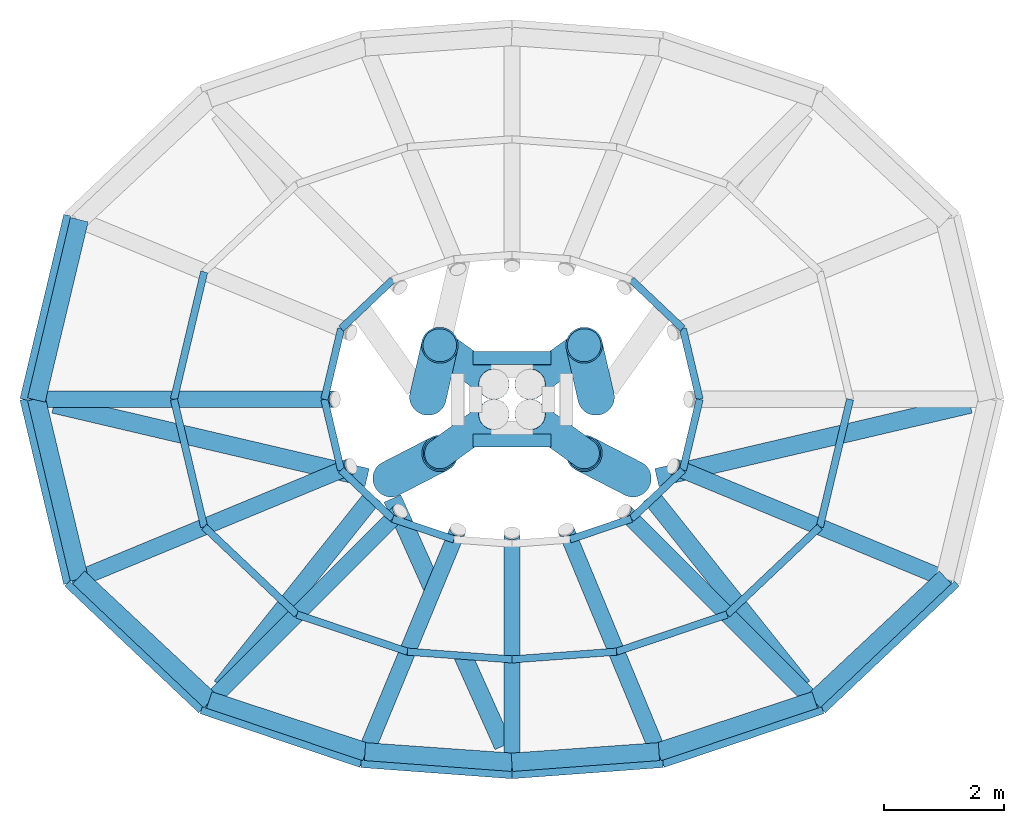
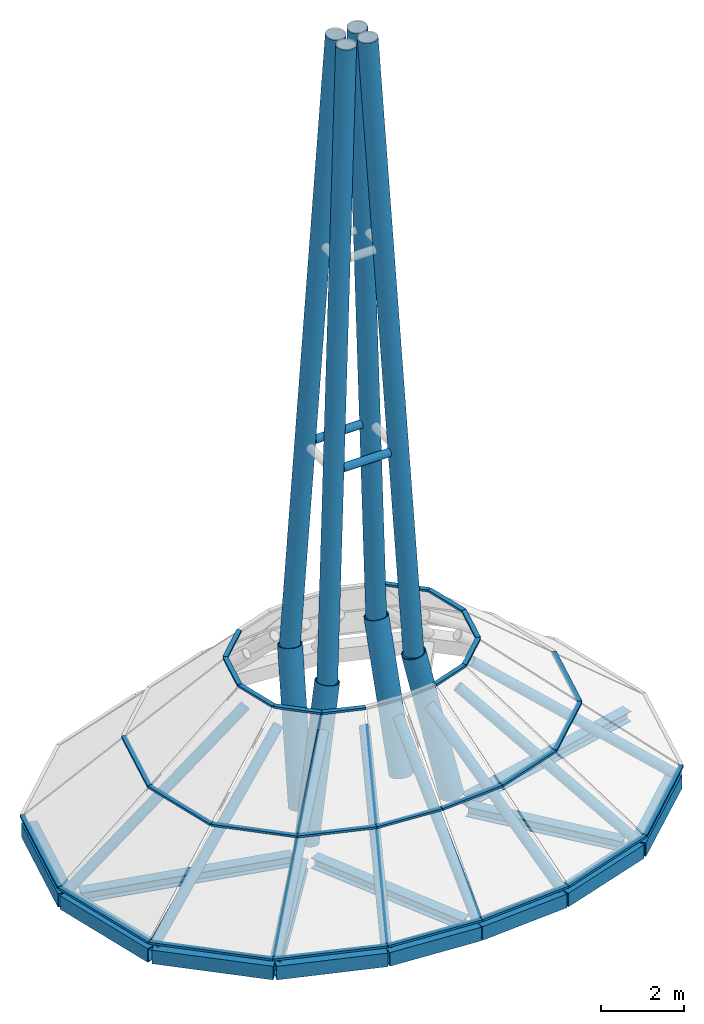
# One storey, part 1 of 4: 45 members, 13 beams, 12 elements without a shape of their own.
"""IFC4 building model written with IfcOpenShell, lengths in metres."""

from ifc_helpers import new_model, si_unit, direction, frame, origin, origin_2d, place, context, subcontext, project, spatial, rectangle, hollow_rectangle, hollow_circle, i_section, extrude, material, material_profile, profile_set, type_object, element, aggregate, save


model = new_model("IFC4")

# Units and contexts
model_context = context("Model", 3, precision=1e-05, world=origin(), true_north=direction((0.0, 1.0)))
body_context = subcontext(model_context, "Body", "Model", "MODEL_VIEW")
ifc_project = project(units=[si_unit("LENGTHUNIT", "METRE"), si_unit("AREAUNIT", "SQUARE_METRE"), si_unit("VOLUMEUNIT", "CUBIC_METRE"), si_unit("PLANEANGLEUNIT", "RADIAN"), si_unit("MASSUNIT", "GRAM", prefix="KILO")], contexts=[model_context])

# Site, building, storey
site_placement = place(None, origin())
site = spatial("IfcSite", under=ifc_project, at=site_placement, CompositionType="ELEMENT")
building_placement = place(site_placement, origin())
building = spatial("IfcBuilding", under=site, at=building_placement, Name="Rubra Terraces Tower", CompositionType="ELEMENT")
storey_placement = place(building_placement, frame((0.0, 0.0, 333.0)))
storey = spatial("IfcBuildingStorey", under=building, at=storey_placement, Name="L82", CompositionType="ELEMENT", Elevation=333.0)

# Members
ifc_material_1 = material(Name="Steel Q355B", Category="steel")
ifc_material_profile_1 = material_profile(ifc_material_1, hollow_circle(Radius=0.136474609375, WallThickness=0.011962890625, at=origin_2d()), Name="CHS 273x12")
ifc_profile_set_1 = profile_set([ifc_material_profile_1], Name="Steel Q355B")
member_type_1 = type_object("IfcMemberType", Name="CROWN POST CHS 273x12", PredefinedType="POST", material=ifc_profile_set_1)
member_1_placement = place(storey_placement, frame((-7.95458984375, 0.0, -0.199951171875), z_axis=(0.800056239455, 0.0, 0.599925006738), x_axis=(0.0, 1.0, 0.0)))
element("IfcMember", 1, at=member_1_placement, inside=storey, type_object=member_type_1, Name="CROWN POST", PredefinedType="POST", context=body_context, shape_type="SweptSolid", body=[
    extrude(hollow_circle(Radius=0.136474609375, WallThickness=0.011962890625, at=origin_2d()), origin(), (0.0, 0.0, 1.0), 6.250732421875),
])
member_2_placement = place(storey_placement, frame((-7.240234375, -2.999267578125, -0.199951171875), z_axis=(0.735221590277, 0.304551814301, 0.605555452124), x_axis=(-0.382697440343, 0.923873730092, 0.0)))
element("IfcMember", 2, at=member_2_placement, inside=storey, type_object=member_type_1, Name="CROWN POST", PredefinedType="POST", context=body_context, shape_type="SweptSolid", body=[
    extrude(hollow_circle(Radius=0.136474609375, WallThickness=0.011962890625, at=origin_2d()), origin(), (0.0, 0.0, 1.0), 6.192626953125),
])
member_3_placement = place(storey_placement, frame((-5.05029296875, -5.05029296875, -0.199951171875), z_axis=(0.543293159565, 0.543293159565, 0.640050846059), x_axis=(-0.707106781187, 0.707106781187, 0.0)))
element("IfcMember", 3, at=member_3_placement, inside=storey, type_object=member_type_1, Name="CROWN POST", PredefinedType="POST", context=body_context, shape_type="SweptSolid", body=[
    extrude(hollow_circle(Radius=0.136474609375, WallThickness=0.011962890625, at=origin_2d()), origin(), (0.0, 0.0, 1.0), 5.85888671875),
])
member_4_placement = place(storey_placement, frame((-2.447265625, -5.9072265625, -0.199951171875), z_axis=(0.280626944211, 0.677074510125, 0.680307743541), x_axis=(-0.923795816776, 0.382885477536, 0.0)))
element("IfcMember", 4, at=member_4_placement, inside=storey, type_object=member_type_1, Name="CROWN POST", PredefinedType="POST", context=body_context, shape_type="SweptSolid", body=[
    extrude(hollow_circle(Radius=0.136474609375, WallThickness=0.011962890625, at=origin_2d()), origin(), (0.0, 0.0, 1.0), 5.51220703125),
])
member_5_placement = place(storey_placement, frame((0.0, -6.08056640625, -0.199951171875), z_axis=(0.0, 0.716092126165, 0.698005778518), x_axis=(-1.0, 0.0, 0.0)))
element("IfcMember", 5, at=member_5_placement, inside=storey, type_object=member_type_1, Name="CROWN POST", PredefinedType="POST", context=body_context, shape_type="SweptSolid", body=[
    extrude(hollow_circle(Radius=0.136474609375, WallThickness=0.011962890625, at=origin_2d()), origin(), (0.0, 0.0, 1.0), 5.37255859375),
])
member_6_placement = place(storey_placement, frame((2.447265625, -5.9072265625, -0.199951171875), z_axis=(-0.280626944211, 0.677074510125, 0.680307743541), x_axis=(-0.923795816776, -0.382885477536, 0.0)))
element("IfcMember", 6, at=member_6_placement, inside=storey, type_object=member_type_1, Name="CROWN POST", PredefinedType="POST", context=body_context, shape_type="SweptSolid", body=[
    extrude(hollow_circle(Radius=0.136474609375, WallThickness=0.011962890625, at=origin_2d()), origin(), (0.0, 0.0, 1.0), 5.51220703125),
])
member_7_placement = place(storey_placement, frame((5.05029296875, -5.05029296875, -0.199951171875), z_axis=(-0.543293159565, 0.543293159565, 0.640050846059), x_axis=(-0.707106781187, -0.707106781187, 0.0)))
element("IfcMember", 7, at=member_7_placement, inside=storey, type_object=member_type_1, Name="CROWN POST", PredefinedType="POST", context=body_context, shape_type="SweptSolid", body=[
    extrude(hollow_circle(Radius=0.136474609375, WallThickness=0.011962890625, at=origin_2d()), origin(), (0.0, 0.0, 1.0), 5.85888671875),
])
member_8_placement = place(storey_placement, frame((7.240234375, -2.999267578125, -0.199951171875), z_axis=(-0.735221590277, 0.304551814301, 0.605555452124), x_axis=(-0.382697440343, -0.923873730092, 0.0)))
element("IfcMember", 8, at=member_8_placement, inside=storey, type_object=member_type_1, Name="CROWN POST", PredefinedType="POST", context=body_context, shape_type="SweptSolid", body=[
    extrude(hollow_circle(Radius=0.136474609375, WallThickness=0.011962890625, at=origin_2d()), origin(), (0.0, 0.0, 1.0), 6.192626953125),
])

# Beams
ifc_material_profile_2 = material_profile(ifc_material_1, hollow_rectangle(XDim=0.39990234375, YDim=0.39990234375, WallThickness=0.02001953125, at=origin_2d()), Name="BOX 400x400x20")
ifc_profile_set_2 = profile_set([ifc_material_profile_2], Name="Steel Q355B")
beam_type_1 = type_object("IfcBeamType", Name="CROWN RING GIRDER BOX 400x400x20", PredefinedType="BEAM", material=ifc_profile_set_2)
for number, where, z_axis, x_axis, name in (
    (9, (-7.239990234375, 2.9990234375, -0.39990234375), (-0.231938111771, -0.972730544554, 0.0), (0.972730544554, -0.231938111771, 0.0), "CROWN RING GIRDER"),
    (10, (-7.955078125, 0.0, -0.39990234375), (0.231938111771, -0.972730544554, 0.0), (0.972730544554, 0.231938111771, 0.0), "CROWN RING GIRDER"),
):
    element("IfcBeam", number, at=place(storey_placement, frame(where, z_axis=z_axis, x_axis=x_axis)), inside=storey, type_object=beam_type_1, Name=name, PredefinedType="BEAM", context=body_context, shape_type="SweptSolid", body=[
        extrude(hollow_rectangle(XDim=0.39990234375, YDim=0.39990234375, WallThickness=0.02001953125, at=origin_2d()), origin(), (0.0, 0.0, 1.0), 3.0830078125),
    ])
beam_1_placement = place(storey_placement, frame((-7.239990234375, -2.9990234375, -0.39990234375), z_axis=(0.729877136986, -0.683578353157, 0.0), x_axis=(0.683578353157, 0.729877136986, 0.0)))
element("IfcBeam", 11, at=beam_1_placement, inside=storey, type_object=beam_type_1, Name="CROWN RING GIRDER", PredefinedType="BEAM", context=body_context, shape_type="SweptSolid", body=[
    extrude(hollow_rectangle(XDim=0.39990234375, YDim=0.39990234375, WallThickness=0.02001953125, at=origin_2d()), origin(), (0.0, 0.0, 1.0), 3.00048828125),
])
beam_2_placement = place(storey_placement, frame((-5.050048828125, -5.050048828125, -0.39990234375), z_axis=(0.949852695666, -0.312697707915, 0.0), x_axis=(0.312697707915, 0.949852695666, 0.0)))
element("IfcBeam", 12, at=beam_2_placement, inside=storey, type_object=beam_type_1, Name="CROWN RING GIRDER", PredefinedType="BEAM", context=body_context, shape_type="SweptSolid", body=[
    extrude(hollow_rectangle(XDim=0.39990234375, YDim=0.39990234375, WallThickness=0.02001953125, at=origin_2d()), origin(), (0.0, 0.0, 1.0), 2.740478515625),
])
for number, where, z_axis, x_axis, name in (
    (13, (-2.447021484375, -5.906982421875, -0.39990234375), (0.997507467046, -0.070560989139, 0.0), (0.070560989139, 0.997507467046, 0.0), "CROWN RING GIRDER"),
    (14, (0.0, -6.080078125, -0.39990234375), (0.997507467046, 0.070560989139, 0.0), (-0.070560989139, 0.997507467046, 0.0), "CROWN RING GIRDER"),
):
    element("IfcBeam", number, at=place(storey_placement, frame(where, z_axis=z_axis, x_axis=x_axis)), inside=storey, type_object=beam_type_1, Name=name, PredefinedType="BEAM", context=body_context, shape_type="SweptSolid", body=[
        extrude(hollow_rectangle(XDim=0.39990234375, YDim=0.39990234375, WallThickness=0.02001953125, at=origin_2d()), origin(), (0.0, 0.0, 1.0), 2.453125),
    ])
beam_3_placement = place(storey_placement, frame((2.447021484375, -5.906982421875, -0.39990234375), z_axis=(0.949852695666, 0.312697707915, 0.0), x_axis=(-0.312697707915, 0.949852695666, 0.0)))
element("IfcBeam", 15, at=beam_3_placement, inside=storey, type_object=beam_type_1, Name="CROWN RING GIRDER", PredefinedType="BEAM", context=body_context, shape_type="SweptSolid", body=[
    extrude(hollow_rectangle(XDim=0.39990234375, YDim=0.39990234375, WallThickness=0.02001953125, at=origin_2d()), origin(), (0.0, 0.0, 1.0), 2.740478515625),
])
beam_4_placement = place(storey_placement, frame((5.050048828125, -5.050048828125, -0.39990234375), z_axis=(0.729877136986, 0.683578353157, 0.0), x_axis=(-0.683578353157, 0.729877136986, 0.0)))
element("IfcBeam", 16, at=beam_4_placement, inside=storey, type_object=beam_type_1, Name="CROWN RING GIRDER", PredefinedType="BEAM", context=body_context, shape_type="SweptSolid", body=[
    extrude(hollow_rectangle(XDim=0.39990234375, YDim=0.39990234375, WallThickness=0.02001953125, at=origin_2d()), origin(), (0.0, 0.0, 1.0), 3.00048828125),
])

# Curtain wall, member
ifc_material_2 = material(Name="Aluminium and glass", Category="aluminium")
curtain_wall_type = type_object("IfcCurtainWallType", Name="Curtain wall Crown glazing", PredefinedType="NOTDEFINED", material=ifc_material_2)
curtain_wall_1_placement = place(storey_placement, origin())
curtain_wall_1 = element("IfcCurtainWall", 17, at=curtain_wall_1_placement, inside=storey, type_object=curtain_wall_type, Name="Crown glazing L82 facet 1", PredefinedType="NOTDEFINED")
ifc_material_3 = material(Name="Aluminium, anodised dark grey", Category="aluminium")
ifc_material_profile_3 = material_profile(ifc_material_3, rectangle(XDim=0.1201171875, YDim=0.06005859375, at=origin_2d()), Name="AL 120x60")
ifc_profile_set_3 = profile_set([ifc_material_profile_3], Name="Aluminium, anodised dark grey")
member_type_2 = type_object("IfcMemberType", Name="Crown glazing transom 120 x 60", PredefinedType="USERDEFINED", material=ifc_profile_set_3)
member_9_placement = place(storey_placement, frame((3.1201171875, 0.0, 4.199951171875), z_axis=(-0.230883769192, 0.972981338528, 0.0), x_axis=(-0.972981338528, -0.230883769192, 0.0)))
member_9 = element("IfcMember", 18, at=member_9_placement, type_object=member_type_2, Name="Crown glazing L82 facet 1 transom 3", ObjectType="TRANSOM", PredefinedType="USERDEFINED", context=body_context, shape_type="SweptSolid", body=[
    extrude(rectangle(XDim=0.1201171875, YDim=0.06005859375, at=origin_2d()), origin(), (0.0, 0.0, 1.0), 1.209716796875),
])
aggregate(curtain_wall_1, [member_9])

curtain_wall_2_placement = place(storey_placement, origin())
curtain_wall_2 = element("IfcCurtainWall", 19, at=curtain_wall_2_placement, inside=storey, type_object=curtain_wall_type, Name="Crown glazing L82 facet 2", PredefinedType="NOTDEFINED")
member_10_placement = place(storey_placement, frame((2.840576171875, 1.176513671875, 4.199951171875), z_axis=(-0.726535575863, 0.687128850366, 0.0), x_axis=(-0.687128850366, -0.726535575863, 0.0)))
member_10 = element("IfcMember", 20, at=member_10_placement, type_object=member_type_2, Name="Crown glazing L82 facet 2 transom 3", ObjectType="TRANSOM", PredefinedType="USERDEFINED", context=body_context, shape_type="SweptSolid", body=[
    extrude(rectangle(XDim=0.1201171875, YDim=0.06005859375, at=origin_2d()), origin(), (0.0, 0.0, 1.0), 1.17724609375),
])
aggregate(curtain_wall_2, [member_10])

curtain_wall_3_placement = place(storey_placement, origin())
curtain_wall_3 = element("IfcCurtainWall", 21, at=curtain_wall_3_placement, inside=storey, type_object=curtain_wall_type, Name="Crown glazing L82 facet 7", PredefinedType="NOTDEFINED")
member_11_placement = place(storey_placement, frame((-1.9853515625, 1.9853515625, 4.199951171875), z_axis=(-0.726535575863, -0.687128850366, 0.0), x_axis=(0.687128850366, -0.726535575863, 0.0)))
member_11 = element("IfcMember", 22, at=member_11_placement, type_object=member_type_2, Name="Crown glazing L82 facet 7 transom 3", ObjectType="TRANSOM", PredefinedType="USERDEFINED", context=body_context, shape_type="SweptSolid", body=[
    extrude(rectangle(XDim=0.1201171875, YDim=0.06005859375, at=origin_2d()), origin(), (0.0, 0.0, 1.0), 1.17724609375),
])
aggregate(curtain_wall_3, [member_11])

# Curtain wall, members
curtain_wall_4_placement = place(storey_placement, origin())
curtain_wall_4 = element("IfcCurtainWall", 23, at=curtain_wall_4_placement, inside=storey, type_object=curtain_wall_type, Name="Crown glazing L82 facet 8", PredefinedType="NOTDEFINED")
member_12_placement = place(storey_placement, frame((-7.39404296875, 3.06298828125, 0.0), z_axis=(-0.230949465478, -0.972965746774, 0.0), x_axis=(0.972965746774, -0.230949465478, 0.0)))
member_12 = element("IfcMember", 24, at=member_12_placement, type_object=member_type_2, Name="Crown glazing L82 facet 8 transom 1", ObjectType="TRANSOM", PredefinedType="USERDEFINED", context=body_context, shape_type="SweptSolid", body=[
    extrude(rectangle(XDim=0.1201171875, YDim=0.06005859375, at=origin_2d()), origin(), (0.0, 0.0, 1.0), 3.148193359375),
])
member_13_placement = place(storey_placement, frame((-5.117431640625, 2.1201171875, 2.10009765625), z_axis=(-0.23091864147, -0.972973062845, 0.0), x_axis=(0.972973062845, -0.23091864147, 0.0)))
member_13 = element("IfcMember", 25, at=member_13_placement, type_object=member_type_2, Name="Crown glazing L82 facet 8 transom 2", ObjectType="TRANSOM", PredefinedType="USERDEFINED", context=body_context, shape_type="SweptSolid", body=[
    extrude(rectangle(XDim=0.1201171875, YDim=0.06005859375, at=origin_2d()), origin(), (0.0, 0.0, 1.0), 2.178955078125),
])
member_14_placement = place(storey_placement, frame((-2.8408203125, 1.177001953125, 4.199951171875), z_axis=(-0.230883769192, -0.972981338528, 0.0), x_axis=(0.972981338528, -0.230883769192, 0.0)))
member_14 = element("IfcMember", 26, at=member_14_placement, type_object=member_type_2, Name="Crown glazing L82 facet 8 transom 3", ObjectType="TRANSOM", PredefinedType="USERDEFINED", context=body_context, shape_type="SweptSolid", body=[
    extrude(rectangle(XDim=0.1201171875, YDim=0.06005859375, at=origin_2d()), origin(), (0.0, 0.0, 1.0), 1.209716796875),
])
aggregate(curtain_wall_4, [member_12, member_13, member_14])

curtain_wall_5_placement = place(storey_placement, origin())
curtain_wall_5 = element("IfcCurtainWall", 27, at=curtain_wall_5_placement, inside=storey, type_object=curtain_wall_type, Name="Crown glazing L82 facet 9", PredefinedType="NOTDEFINED")
member_15_placement = place(storey_placement, frame((-8.12109375, 0.0, 0.0), z_axis=(0.230949465478, -0.972965746774, 0.0), x_axis=(0.972965746774, 0.230949465478, 0.0)))
member_15 = element("IfcMember", 28, at=member_15_placement, type_object=member_type_2, Name="Crown glazing L82 facet 9 transom 1", ObjectType="TRANSOM", PredefinedType="USERDEFINED", context=body_context, shape_type="SweptSolid", body=[
    extrude(rectangle(XDim=0.1201171875, YDim=0.06005859375, at=origin_2d()), origin(), (0.0, 0.0, 1.0), 3.148193359375),
])
member_16_placement = place(storey_placement, frame((-5.62060546875, 0.0, 2.10009765625), z_axis=(0.23091864147, -0.972973062845, 0.0), x_axis=(0.972973062845, 0.23091864147, 0.0)))
member_16 = element("IfcMember", 29, at=member_16_placement, type_object=member_type_2, Name="Crown glazing L82 facet 9 transom 2", ObjectType="TRANSOM", PredefinedType="USERDEFINED", context=body_context, shape_type="SweptSolid", body=[
    extrude(rectangle(XDim=0.1201171875, YDim=0.06005859375, at=origin_2d()), origin(), (0.0, 0.0, 1.0), 2.178955078125),
])
member_17_placement = place(storey_placement, frame((-3.1201171875, 0.0, 4.199951171875), z_axis=(0.230883769192, -0.972981338528, 0.0), x_axis=(0.972981338528, 0.230883769192, 0.0)))
member_17 = element("IfcMember", 30, at=member_17_placement, type_object=member_type_2, Name="Crown glazing L82 facet 9 transom 3", ObjectType="TRANSOM", PredefinedType="USERDEFINED", context=body_context, shape_type="SweptSolid", body=[
    extrude(rectangle(XDim=0.1201171875, YDim=0.06005859375, at=origin_2d()), origin(), (0.0, 0.0, 1.0), 1.209716796875),
])
aggregate(curtain_wall_5, [member_15, member_16, member_17])

curtain_wall_6_placement = place(storey_placement, origin())
curtain_wall_6 = element("IfcCurtainWall", 31, at=curtain_wall_6_placement, inside=storey, type_object=curtain_wall_type, Name="Crown glazing L82 facet 10", PredefinedType="NOTDEFINED")
member_18_placement = place(storey_placement, frame((-7.39404296875, -3.06298828125, 0.0), z_axis=(0.726593128338, -0.687067992161, 0.0), x_axis=(0.687067992161, 0.726593128338, 0.0)))
member_18 = element("IfcMember", 32, at=member_18_placement, type_object=member_type_2, Name="Crown glazing L82 facet 10 transom 1", ObjectType="TRANSOM", PredefinedType="USERDEFINED", context=body_context, shape_type="SweptSolid", body=[
    extrude(rectangle(XDim=0.1201171875, YDim=0.06005859375, at=origin_2d()), origin(), (0.0, 0.0, 1.0), 3.063720703125),
])
member_19_placement = place(storey_placement, frame((-5.1171875, -2.119873046875, 2.10009765625), z_axis=(0.726578716287, -0.687083232977, 0.0), x_axis=(0.687083232977, 0.726578716287, 0.0)))
member_19 = element("IfcMember", 33, at=member_19_placement, type_object=member_type_2, Name="Crown glazing L82 facet 10 transom 2", ObjectType="TRANSOM", PredefinedType="USERDEFINED", context=body_context, shape_type="SweptSolid", body=[
    extrude(rectangle(XDim=0.1201171875, YDim=0.06005859375, at=origin_2d()), origin(), (0.0, 0.0, 1.0), 2.120361328125),
])
member_20_placement = place(storey_placement, frame((-2.840576171875, -1.176513671875, 4.199951171875), z_axis=(0.726535575863, -0.687128850366, 0.0), x_axis=(0.687128850366, 0.726535575863, 0.0)))
member_20 = element("IfcMember", 34, at=member_20_placement, type_object=member_type_2, Name="Crown glazing L82 facet 10 transom 3", ObjectType="TRANSOM", PredefinedType="USERDEFINED", context=body_context, shape_type="SweptSolid", body=[
    extrude(rectangle(XDim=0.1201171875, YDim=0.06005859375, at=origin_2d()), origin(), (0.0, 0.0, 1.0), 1.17724609375),
])
aggregate(curtain_wall_6, [member_18, member_19, member_20])

curtain_wall_7_placement = place(storey_placement, origin())
curtain_wall_7 = element("IfcCurtainWall", 35, at=curtain_wall_7_placement, inside=storey, type_object=curtain_wall_type, Name="Crown glazing L82 facet 11", PredefinedType="NOTDEFINED")
member_21_placement = place(storey_placement, frame((-5.16796875, -5.16796875, 0.0), z_axis=(0.947887726261, -0.318604548623, 0.0), x_axis=(0.318604548623, 0.947887726261, 0.0)))
member_21 = element("IfcMember", 36, at=member_21_placement, type_object=member_type_2, Name="Crown glazing L82 facet 11 transom 1", ObjectType="TRANSOM", PredefinedType="USERDEFINED", context=body_context, shape_type="SweptSolid", body=[
    extrude(rectangle(XDim=0.1201171875, YDim=0.06005859375, at=origin_2d()), origin(), (0.0, 0.0, 1.0), 2.802978515625),
])
member_22_placement = place(storey_placement, frame((-3.57666015625, -3.57666015625, 2.10009765625), z_axis=(0.947900350353, -0.318566987934, 0.0), x_axis=(0.318566987934, 0.947900350353, 0.0)))
member_22 = element("IfcMember", 37, at=member_22_placement, type_object=member_type_2, Name="Crown glazing L82 facet 11 transom 2", ObjectType="TRANSOM", PredefinedType="USERDEFINED", context=body_context, shape_type="SweptSolid", body=[
    extrude(rectangle(XDim=0.1201171875, YDim=0.06005859375, at=origin_2d()), origin(), (0.0, 0.0, 1.0), 1.9404296875),
])
member_23_placement = place(storey_placement, frame((-1.985107421875, -1.9853515625, 4.199951171875), z_axis=(0.947887198048, -0.318606120118, 0.0), x_axis=(0.318606120118, 0.947887198048, 0.0)))
member_23 = element("IfcMember", 38, at=member_23_placement, type_object=member_type_2, Name="Crown glazing L82 facet 11 transom 3", ObjectType="TRANSOM", PredefinedType="USERDEFINED", context=body_context, shape_type="SweptSolid", body=[
    extrude(rectangle(XDim=0.1201171875, YDim=0.06005859375, at=origin_2d()), origin(), (0.0, 0.0, 1.0), 1.077392578125),
])
aggregate(curtain_wall_7, [member_21, member_22, member_23])

curtain_wall_8_placement = place(storey_placement, origin())
curtain_wall_8 = element("IfcCurtainWall", 39, at=curtain_wall_8_placement, inside=storey, type_object=curtain_wall_type, Name="Crown glazing L82 facet 12", PredefinedType="NOTDEFINED")
member_24_placement = place(storey_placement, frame((-2.510986328125, -6.06103515625, 0.0), z_axis=(0.997266696093, -0.073885972039, 0.0), x_axis=(0.073885972039, 0.997266696093, 0.0)))
member_24 = element("IfcMember", 40, at=member_24_placement, type_object=member_type_2, Name="Crown glazing L82 facet 12 transom 1", ObjectType="TRANSOM", PredefinedType="USERDEFINED", context=body_context, shape_type="SweptSolid", body=[
    extrude(rectangle(XDim=0.1201171875, YDim=0.06005859375, at=origin_2d()), origin(), (0.0, 0.0, 1.0), 2.517822265625),
])
member_25_placement = place(storey_placement, frame((-1.737548828125, -4.19482421875, 2.10009765625), z_axis=(0.997269665787, -0.07384587802, 0.0), x_axis=(0.07384587802, 0.997269665787, 0.0)))
member_25 = element("IfcMember", 41, at=member_25_placement, type_object=member_type_2, Name="Crown glazing L82 facet 12 transom 2", ObjectType="TRANSOM", PredefinedType="USERDEFINED", context=body_context, shape_type="SweptSolid", body=[
    extrude(rectangle(XDim=0.1201171875, YDim=0.06005859375, at=origin_2d()), origin(), (0.0, 0.0, 1.0), 1.7421875),
])
aggregate(curtain_wall_8, [member_24, member_25])

curtain_wall_9_placement = place(storey_placement, origin())
curtain_wall_9 = element("IfcCurtainWall", 42, at=curtain_wall_9_placement, inside=storey, type_object=curtain_wall_type, Name="Crown glazing L82 facet 13", PredefinedType="NOTDEFINED")
member_26_placement = place(storey_placement, frame((0.0, -6.2470703125, 0.0), z_axis=(0.997266696093, 0.073885972039, 0.0), x_axis=(-0.073885972039, 0.997266696093, 0.0)))
member_26 = element("IfcMember", 43, at=member_26_placement, type_object=member_type_2, Name="Crown glazing L82 facet 13 transom 1", ObjectType="TRANSOM", PredefinedType="USERDEFINED", context=body_context, shape_type="SweptSolid", body=[
    extrude(rectangle(XDim=0.1201171875, YDim=0.06005859375, at=origin_2d()), origin(), (0.0, 0.0, 1.0), 2.517822265625),
])
member_27_placement = place(storey_placement, frame((0.0, -4.323486328125, 2.10009765625), z_axis=(0.997269665787, 0.07384587802, 0.0), x_axis=(-0.07384587802, 0.997269665787, 0.0)))
member_27 = element("IfcMember", 44, at=member_27_placement, type_object=member_type_2, Name="Crown glazing L82 facet 13 transom 2", ObjectType="TRANSOM", PredefinedType="USERDEFINED", context=body_context, shape_type="SweptSolid", body=[
    extrude(rectangle(XDim=0.1201171875, YDim=0.06005859375, at=origin_2d()), origin(), (0.0, 0.0, 1.0), 1.7421875),
])
aggregate(curtain_wall_9, [member_26, member_27])

curtain_wall_10_placement = place(storey_placement, origin())
curtain_wall_10 = element("IfcCurtainWall", 45, at=curtain_wall_10_placement, inside=storey, type_object=curtain_wall_type, Name="Crown glazing L82 facet 14", PredefinedType="NOTDEFINED")
member_28_placement = place(storey_placement, frame((2.510986328125, -6.06103515625, 0.0), z_axis=(0.947887726261, 0.318604548623, 0.0), x_axis=(-0.318604548623, 0.947887726261, 0.0)))
member_28 = element("IfcMember", 46, at=member_28_placement, type_object=member_type_2, Name="Crown glazing L82 facet 14 transom 1", ObjectType="TRANSOM", PredefinedType="USERDEFINED", context=body_context, shape_type="SweptSolid", body=[
    extrude(rectangle(XDim=0.1201171875, YDim=0.06005859375, at=origin_2d()), origin(), (0.0, 0.0, 1.0), 2.802978515625),
])
member_29_placement = place(storey_placement, frame((1.7373046875, -4.19482421875, 2.10009765625), z_axis=(0.947900350353, 0.318566987934, 0.0), x_axis=(-0.318566987934, 0.947900350353, 0.0)))
member_29 = element("IfcMember", 47, at=member_29_placement, type_object=member_type_2, Name="Crown glazing L82 facet 14 transom 2", ObjectType="TRANSOM", PredefinedType="USERDEFINED", context=body_context, shape_type="SweptSolid", body=[
    extrude(rectangle(XDim=0.1201171875, YDim=0.06005859375, at=origin_2d()), origin(), (0.0, 0.0, 1.0), 1.9404296875),
])
member_30_placement = place(storey_placement, frame((0.9638671875, -2.32861328125, 4.199951171875), z_axis=(0.947887198048, 0.318606120118, 0.0), x_axis=(-0.318606120118, 0.947887198048, 0.0)))
member_30 = element("IfcMember", 48, at=member_30_placement, type_object=member_type_2, Name="Crown glazing L82 facet 14 transom 3", ObjectType="TRANSOM", PredefinedType="USERDEFINED", context=body_context, shape_type="SweptSolid", body=[
    extrude(rectangle(XDim=0.1201171875, YDim=0.06005859375, at=origin_2d()), origin(), (0.0, 0.0, 1.0), 1.077392578125),
])
aggregate(curtain_wall_10, [member_28, member_29, member_30])

curtain_wall_11_placement = place(storey_placement, origin())
curtain_wall_11 = element("IfcCurtainWall", 49, at=curtain_wall_11_placement, inside=storey, type_object=curtain_wall_type, Name="Crown glazing L82 facet 15", PredefinedType="NOTDEFINED")
member_31_placement = place(storey_placement, frame((5.16796875, -5.16796875, 0.0), z_axis=(0.726593128338, 0.687067992161, 0.0), x_axis=(-0.687067992161, 0.726593128338, 0.0)))
member_31 = element("IfcMember", 50, at=member_31_placement, type_object=member_type_2, Name="Crown glazing L82 facet 15 transom 1", ObjectType="TRANSOM", PredefinedType="USERDEFINED", context=body_context, shape_type="SweptSolid", body=[
    extrude(rectangle(XDim=0.1201171875, YDim=0.06005859375, at=origin_2d()), origin(), (0.0, 0.0, 1.0), 3.063720703125),
])
member_32_placement = place(storey_placement, frame((3.57666015625, -3.57666015625, 2.10009765625), z_axis=(0.726578716287, 0.687083232977, 0.0), x_axis=(-0.687083232977, 0.726578716287, 0.0)))
member_32 = element("IfcMember", 51, at=member_32_placement, type_object=member_type_2, Name="Crown glazing L82 facet 15 transom 2", ObjectType="TRANSOM", PredefinedType="USERDEFINED", context=body_context, shape_type="SweptSolid", body=[
    extrude(rectangle(XDim=0.1201171875, YDim=0.06005859375, at=origin_2d()), origin(), (0.0, 0.0, 1.0), 2.120361328125),
])
member_33_placement = place(storey_placement, frame((1.9853515625, -1.9853515625, 4.199951171875), z_axis=(0.726535575863, 0.687128850366, 0.0), x_axis=(-0.687128850366, 0.726535575863, 0.0)))
member_33 = element("IfcMember", 52, at=member_33_placement, type_object=member_type_2, Name="Crown glazing L82 facet 15 transom 3", ObjectType="TRANSOM", PredefinedType="USERDEFINED", context=body_context, shape_type="SweptSolid", body=[
    extrude(rectangle(XDim=0.1201171875, YDim=0.06005859375, at=origin_2d()), origin(), (0.0, 0.0, 1.0), 1.17724609375),
])
aggregate(curtain_wall_11, [member_31, member_32, member_33])

curtain_wall_12_placement = place(storey_placement, origin())
curtain_wall_12 = element("IfcCurtainWall", 53, at=curtain_wall_12_placement, inside=storey, type_object=curtain_wall_type, Name="Crown glazing L82 facet 16", PredefinedType="NOTDEFINED")
member_34_placement = place(storey_placement, frame((5.117431640625, -2.1201171875, 2.10009765625), z_axis=(0.23091864147, 0.972973062845, 0.0), x_axis=(-0.972973062845, 0.23091864147, 0.0)))
member_34 = element("IfcMember", 54, at=member_34_placement, type_object=member_type_2, Name="Crown glazing L82 facet 16 transom 2", ObjectType="TRANSOM", PredefinedType="USERDEFINED", context=body_context, shape_type="SweptSolid", body=[
    extrude(rectangle(XDim=0.1201171875, YDim=0.06005859375, at=origin_2d()), origin(), (0.0, 0.0, 1.0), 2.178955078125),
])
member_35_placement = place(storey_placement, frame((2.8408203125, -1.177001953125, 4.199951171875), z_axis=(0.230883769192, 0.972981338528, 0.0), x_axis=(-0.972981338528, 0.230883769192, 0.0)))
member_35 = element("IfcMember", 55, at=member_35_placement, type_object=member_type_2, Name="Crown glazing L82 facet 16 transom 3", ObjectType="TRANSOM", PredefinedType="USERDEFINED", context=body_context, shape_type="SweptSolid", body=[
    extrude(rectangle(XDim=0.1201171875, YDim=0.06005859375, at=origin_2d()), origin(), (0.0, 0.0, 1.0), 1.209716796875),
])
aggregate(curtain_wall_12, [member_34, member_35])

# Beams
ifc_material_profile_4 = material_profile(ifc_material_1, i_section(OverallWidth=0.304931640625, OverallDepth=0.300048828125, WebThickness=0.014892578125, FlangeThickness=0.014892578125, at=origin_2d()), Name="HW 300x305x15x15")
ifc_profile_set_4 = profile_set([ifc_material_profile_4], Name="Steel Q355B")
beam_type_2 = type_object("IfcBeamType", Name="FLOOR BEAM HW 300x305x15x15", PredefinedType="BEAM", material=ifc_profile_set_4)
for number, where, z_axis, x_axis, name in (
    (56, (7.614013671875, -0.080078125, -0.35009765625), (-0.973615042326, -0.228196733888, 0.0), (0.228196733888, -0.973615042326, 0.0), "beam-L82-crown-floor-01"),
    (57, (-7.614013671875, -0.080078125, -0.35009765625), (0.973615042326, -0.228196733888, 0.0), (0.228196733888, 0.973615042326, 0.0), "beam-L82-crown-floor-09"),
):
    element("IfcBeam", number, at=place(storey_placement, frame(where, z_axis=z_axis, x_axis=x_axis)), inside=storey, type_object=beam_type_2, Name=name, PredefinedType="BEAM", context=body_context, shape_type="SweptSolid", body=[
        extrude(i_section(OverallWidth=0.304931640625, OverallDepth=0.300048828125, WebThickness=0.014892578125, FlangeThickness=0.014892578125, at=origin_2d()), origin(), (0.0, 0.0, 1.0), 5.34619140625),
    ])
beam_5_placement = place(storey_placement, frame((-4.83203125, -4.777099609375, -0.35009765625), z_axis=(0.623747333309, 0.781626038583, 0.0), x_axis=(-0.781626038583, 0.623747333309, 0.0)))
element("IfcBeam", 58, at=beam_5_placement, inside=storey, type_object=beam_type_2, Name="beam-L82-crown-floor-11", PredefinedType="BEAM", context=body_context, shape_type="SweptSolid", body=[
    extrude(i_section(OverallWidth=0.304931640625, OverallDepth=0.300048828125, WebThickness=0.014892578125, FlangeThickness=0.014892578125, at=origin_2d()), origin(), (0.0, 0.0, 1.0), 4.0546875),
])
beam_6_placement = place(storey_placement, frame((-0.14306640625, -5.760986328125, -0.35009765625), z_axis=(-0.409276709153, 0.91241031085, 0.0), x_axis=(-0.91241031085, -0.409276709153, 0.0)))
element("IfcBeam", 59, at=beam_6_placement, inside=storey, type_object=beam_type_2, Name="beam-L82-crown-floor-13", PredefinedType="BEAM", context=body_context, shape_type="SweptSolid", body=[
    extrude(i_section(OverallWidth=0.304931640625, OverallDepth=0.300048828125, WebThickness=0.014892578125, FlangeThickness=0.014892578125, at=origin_2d()), origin(), (0.0, 0.0, 1.0), 4.5078125),
])
beam_7_placement = place(storey_placement, frame((4.83203125, -4.777099609375, -0.35009765625), z_axis=(-0.623747333309, 0.781626038583, 0.0), x_axis=(-0.781626038583, -0.623747333309, 0.0)))
element("IfcBeam", 60, at=beam_7_placement, inside=storey, type_object=beam_type_2, Name="beam-L82-crown-floor-15", PredefinedType="BEAM", context=body_context, shape_type="SweptSolid", body=[
    extrude(i_section(OverallWidth=0.304931640625, OverallDepth=0.300048828125, WebThickness=0.014892578125, FlangeThickness=0.014892578125, at=origin_2d()), origin(), (0.0, 0.0, 1.0), 4.0546875),
])

# Members
ifc_material_profile_5 = material_profile(ifc_material_1, hollow_circle(Radius=0.304931640625, WallThickness=0.02490234375, at=origin_2d()), Name="CHS 610x25")
ifc_profile_set_5 = profile_set([ifc_material_profile_5], Name="Steel Q355B")
member_type_3 = type_object("IfcMemberType", Name="SPIRE LEG CHS 610x25", PredefinedType="POST", material=ifc_profile_set_5)
member_36_placement = place(storey_placement, frame((-2.014892578125, -1.320068359375, 0.0), z_axis=(0.18957120021, 0.097738776381, 0.976990220853), x_axis=(-0.458256265981, 0.888820113797, 0.0)))
element("IfcMember", 61, at=member_36_placement, inside=storey, type_object=member_type_3, Name="SPIRE LEG", PredefinedType="POST", context=body_context, shape_type="SweptSolid", body=[
    extrude(hollow_circle(Radius=0.304931640625, WallThickness=0.02490234375, at=origin_2d()), origin(), (0.0, 0.0, 1.0), 4.298828125),
])
for number, where, z_axis, x_axis, name in (
    (62, (-1.39794921875, 0.034912109375, 0.0), (0.04612470212, 0.201504093231, 0.978401048786), (-0.974788448443, 0.223131084303, 0.0), "SPIRE LEG"),
    (63, (1.39794921875, 0.034912109375, 0.0), (-0.04612470212, 0.201504093231, 0.978401048786), (-0.974788448443, -0.223131084303, 0.0), "SPIRE LEG"),
):
    element("IfcMember", number, at=place(storey_placement, frame(where, z_axis=z_axis, x_axis=x_axis)), inside=storey, type_object=member_type_3, Name=name, PredefinedType="POST", context=body_context, shape_type="SweptSolid", body=[
        extrude(hollow_circle(Radius=0.304931640625, WallThickness=0.02490234375, at=origin_2d()), origin(), (0.0, 0.0, 1.0), 4.292724609375),
    ])
member_37_placement = place(storey_placement, frame((2.014892578125, -1.320068359375, 0.0), z_axis=(-0.18957120021, 0.097738776381, 0.976990220853), x_axis=(-0.458256265981, -0.888820113797, 0.0)))
element("IfcMember", 64, at=member_37_placement, inside=storey, type_object=member_type_3, Name="SPIRE LEG", PredefinedType="POST", context=body_context, shape_type="SweptSolid", body=[
    extrude(hollow_circle(Radius=0.304931640625, WallThickness=0.02490234375, at=origin_2d()), origin(), (0.0, 0.0, 1.0), 4.298828125),
])
ifc_material_profile_6 = material_profile(ifc_material_1, hollow_circle(Radius=0.25390625, WallThickness=0.02001953125, at=origin_2d()), Name="CHS 508x20")
ifc_profile_set_6 = profile_set([ifc_material_profile_6], Name="Steel Q355B")
member_type_4 = type_object("IfcMemberType", Name="SPIRE MAST LEG CHS 508x20", PredefinedType="POST", material=ifc_profile_set_6)
for number, where, z_axis, x_axis, name in (
    (65, (1.199951171875, 0.89990234375, 4.199951171875), (-0.049899778321, -0.036037224604, 0.998103867624), (0.585474493361, -0.810690827396, 0.0), "SPIRE MAST LEG"),
    (66, (-1.199951171875, 0.89990234375, 4.199951171875), (0.049899778321, -0.036037224604, 0.998103867624), (0.585474493361, 0.810690827396, 0.0), "SPIRE MAST LEG"),
    (67, (-1.199951171875, -0.89990234375, 4.199951171875), (0.049899778321, 0.036037224604, 0.998103867624), (-0.585474493361, 0.810690827396, 0.0), "SPIRE MAST LEG"),
    (68, (1.199951171875, -0.89990234375, 4.199951171875), (-0.049899778321, 0.036037224604, 0.998103867624), (-0.585474493361, -0.810690827396, 0.0), "SPIRE MAST LEG"),
):
    element("IfcMember", number, at=place(storey_placement, frame(where, z_axis=z_axis, x_axis=x_axis)), inside=storey, type_object=member_type_4, Name=name, PredefinedType="POST", context=body_context, shape_type="SweptSolid", body=[
        extrude(hollow_circle(Radius=0.25390625, WallThickness=0.02001953125, at=origin_2d()), origin(), (0.0, 0.0, 1.0), 18.0341796875),
    ])
ifc_material_profile_7 = material_profile(ifc_material_1, hollow_circle(Radius=0.109619140625, WallThickness=0.010009765625, at=origin_2d()), Name="CHS 219x10")
ifc_profile_set_7 = profile_set([ifc_material_profile_7], Name="Steel Q355B")
member_type_5 = type_object("IfcMemberType", Name="SPIRE MAST RING LOWER CHS 219x10", PredefinedType="STRUT", material=ifc_profile_set_7)
for number, where, z_axis, x_axis, name in (
    (69, (0.64892578125, 0.68505859375, 10.139892578125), (-1.0, 0.0, 0.0), (0.0, -1.0, 0.0), "SPIRE MAST RING"),
    (70, (-0.64892578125, -0.68505859375, 10.139892578125), (1.0, 0.0, 0.0), (0.0, 1.0, 0.0), "SPIRE MAST RING"),
):
    element("IfcMember", number, at=place(storey_placement, frame(where, z_axis=z_axis, x_axis=x_axis)), inside=storey, type_object=member_type_5, Name=name, PredefinedType="STRUT", context=body_context, shape_type="SweptSolid", body=[
        extrude(hollow_circle(Radius=0.109619140625, WallThickness=0.010009765625, at=origin_2d()), origin(), (0.0, 0.0, 1.0), 1.2978515625),
    ])

save(model, "model.ifc")
